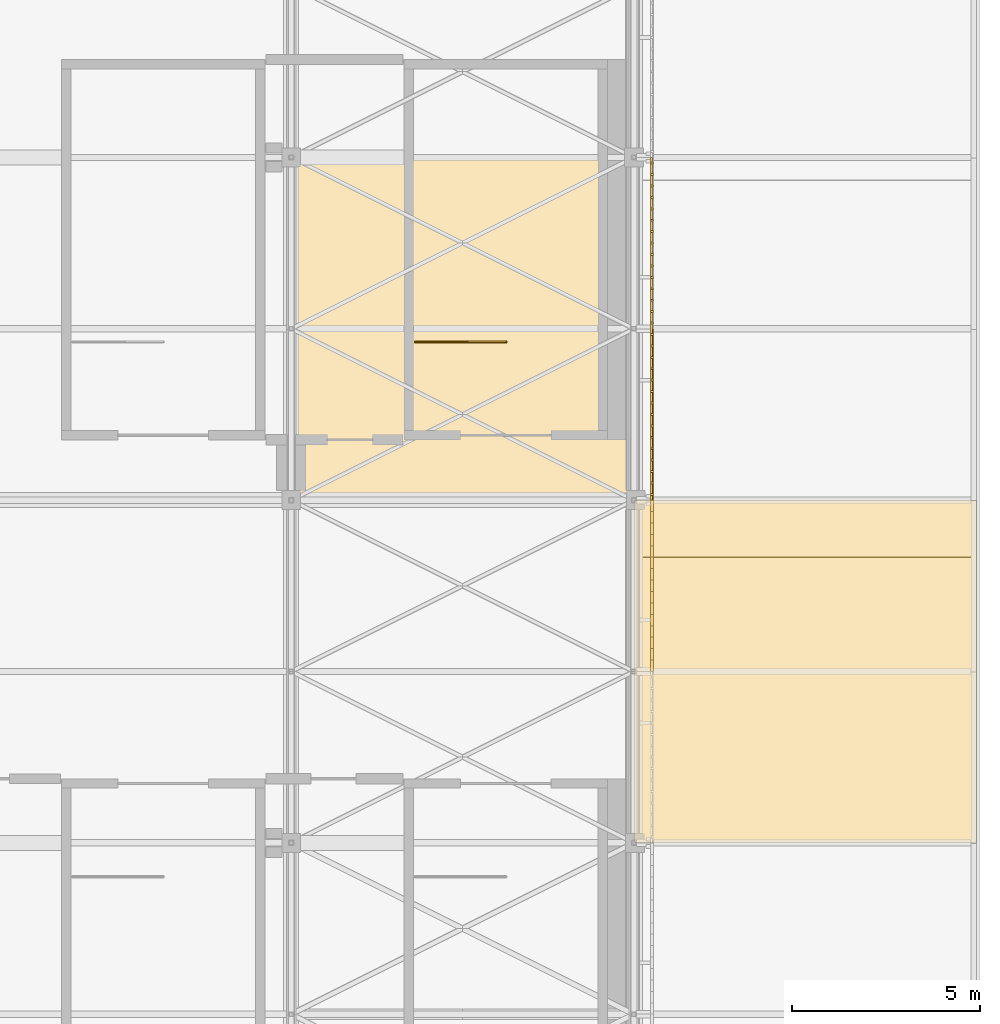
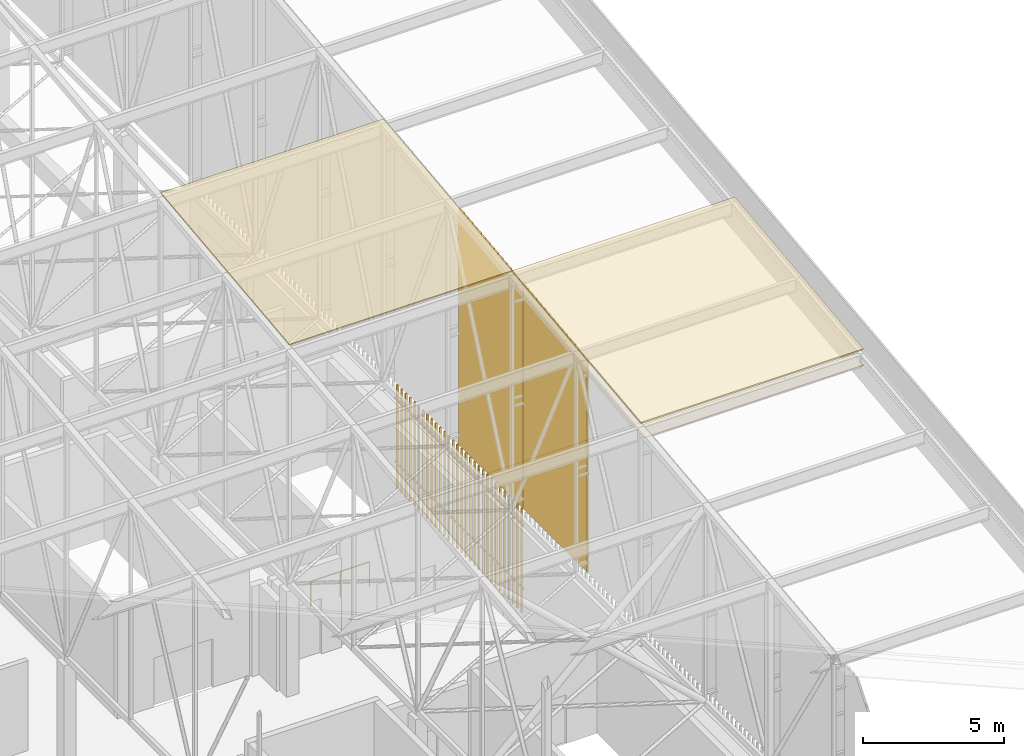
# One storey, part 488 of 500: 4 coverings, 3 shading devices, 1 railing.
"""IFC4 building model written with IfcOpenShell, lengths in metres."""

from ifc_helpers import new_model, si_unit, direction, frame, origin, origin_2d, place, context, subcontext, project, spatial, polyline, rectangle, circle, outline, extrude, material, layer, layer_set, type_object, element, save


model = new_model("IFC4")

# Units and contexts
model_context = context("Model", 3, precision=1e-05, world=origin(), true_north=direction((0.0, 1.0)))
body_context = subcontext(model_context, "Body", "Model", "MODEL_VIEW")
ifc_project = project(units=[si_unit("LENGTHUNIT", "METRE"), si_unit("AREAUNIT", "SQUARE_METRE"), si_unit("VOLUMEUNIT", "CUBIC_METRE"), si_unit("PLANEANGLEUNIT", "RADIAN"), si_unit("MASSUNIT", "GRAM", prefix="KILO")], contexts=[model_context])

# Site, building, storey
site_placement = place(None, origin())
site = spatial("IfcSite", under=ifc_project, at=site_placement, CompositionType="ELEMENT")
building_placement = place(site_placement, origin())
building = spatial("IfcBuilding", under=site, at=building_placement, Name="Shirokan Park Arena", CompositionType="ELEMENT")
storey_placement = place(building_placement, frame((0.0, 0.0, 29.1201171875)))
storey = spatial("IfcBuildingStorey", under=building, at=storey_placement, Name="L06", CompositionType="ELEMENT", Elevation=29.1201171875)

# Coverings
ifc_material_1 = material(Name="Bituminous roofing membrane")
ifc_layer_1 = layer(ifc_material_1, 0.010009765625, Name="Bituminous roofing membrane")
ifc_material_2 = material(Name="Mineral wool insulation")
ifc_layer_2 = layer(ifc_material_2, 0.050048828125, Name="Mineral wool insulation")
ifc_layer_set_1 = layer_set([ifc_layer_1, ifc_layer_2], Name="Bituminous roofing membrane + Mineral wool insulation")
covering_type_1 = type_object("IfcCoveringType", Name="Roofing membrane 60", PredefinedType="ROOFING", material=ifc_layer_set_1)
covering_1_placement = place(storey_placement, frame((136.5, 18.199951171875, 15.0107421875), z_axis=(0.0, -0.113549598152, 0.993532328996), x_axis=(1.0, 0.0, 0.0)))
element("IfcCovering", 1, at=covering_1_placement, inside=storey, type_object=covering_type_1, Name="Roofing", PredefinedType="ROOFING", context=body_context, shape_type="SweptSolid", body=[
    extrude(outline(polyline([(0.0, 0.0), (9.10009765625, 0.0), (9.10009765625, 9.15933723611117), (0.0, 9.15933723611117), (0.0, 0.0)])), origin(), (0.0, 0.0, -1.0), 0.06005859375),
])
covering_2_placement = place(storey_placement, frame((145.60009765625, 9.10009765625, 13.970703125), z_axis=(0.0, -0.113552605302, 0.993531985308), x_axis=(1.0, 0.0, 0.0)))
element("IfcCovering", 2, at=covering_2_placement, inside=storey, type_object=covering_type_1, Name="Roofing", PredefinedType="ROOFING", context=body_context, shape_type="SweptSolid", body=[
    extrude(outline(polyline([(0.0, 0.0), (9.099853515625, 0.0), (9.099853515625, 9.159094674549365), (0.0, 9.159094674549365), (0.0, 0.0)])), origin(), (0.0, 0.0, -1.0), 0.06005859375),
])

# Railing
ifc_material_3 = material(Name="Stainless steel", Category="steel")
railing_type = type_object("IfcRailingType", Name="Stair well guard 1100", PredefinedType="GUARDRAIL", material=ifc_material_3)
railing_placement = place(storey_placement, frame((139.800048828125, 22.39990234375, 0.0)))
element("IfcRailing", 3, at=railing_placement, inside=storey, type_object=railing_type, Name="Guard Exit Stair 2.E L06", PredefinedType="GUARDRAIL", context=body_context, shape_type="SweptSolid", body=[
    extrude(circle(Radius=0.02490234375, at=origin_2d()), frame((0.0, 0.0, 1.0771484375), z_axis=(1.0, 0.0, 0.0), x_axis=(0.0, 1.0, 0.0)), (0.0, 0.0, 1.0), 2.39990234375),
    extrude(circle(Radius=0.02490234375, at=origin_2d()), origin(), (0.0, 0.0, 1.0), 1.052001953125),
    extrude(circle(Radius=0.02490234375, at=origin_2d()), frame((1.199951171875, 0.0, 0.0)), (0.0, 0.0, 1.0), 1.052001953125),
    extrude(circle(Radius=0.02490234375, at=origin_2d()), frame((2.39990234375, 0.0, 0.0)), (0.0, 0.0, 1.0), 1.052001953125),
])

# Coverings
ifc_material_4 = material(Name="Timber soffit boards (cedar)", Category="wood")
ifc_layer_3 = layer(ifc_material_4, 0.030029296875)
ifc_layer_set_2 = layer_set([ifc_layer_3], Name="Timber soffit boards (cedar) 30 mm")
covering_type_2 = type_object("IfcCoveringType", Name="Timber boarded soffit panel", PredefinedType="CLADDING", material=ifc_layer_set_2)
covering_3_placement = place(storey_placement, origin())
element("IfcCovering", 4, at=covering_3_placement, inside=storey, type_object=covering_type_2, Name="Rake soffit east bay 5", PredefinedType="CLADDING", context=body_context, shape_type="SweptSolid", body=[
    extrude(outline(polyline([(0.0, 0.0), (0.12000000000000455, 0.0), (0.12000000000000455, -4.579617887990222), (0.0, -4.579617887990222), (0.0, 0.0)])), frame((145.846923828125, 9.10009765625, 13.261962890625), z_axis=(0.0, -0.113546591161, 0.993532672656), x_axis=(-1.0, 0.0, 0.0)), (0.0, 0.0, -1.0), 0.030029296875),
    extrude(outline(polyline([(0.0, 0.0), (0.11999999999997613, 0.0), (0.11999999999997613, -4.579617887990221), (0.0, -4.579617887990221), (0.0, 0.0)])), frame((154.580078125, 13.64990234375, 13.781982421875), z_axis=(0.0, -0.113546591161, 0.993532672656), x_axis=(1.0, 0.0, 0.0)), (0.0, 0.0, -1.0), 0.030029296875),
    extrude(outline(polyline([(0.0, 0.0), (0.12078064455863916, 0.0), (0.12078064455863916, -8.733000000000002), (0.0, -8.733000000000002), (0.0, 0.0)])), frame((154.580078125, 13.64990234375, 13.781982421875), z_axis=(0.0, -0.11351156512, 0.993536675007), x_axis=(0.0, -0.993536675007, -0.11351156512)), (0.0, 0.0, -1.0), 0.030029296875),
    extrude(outline(polyline([(0.0, 0.0), (0.12078064455863916, 0.0), (0.12078064455863916, -8.733000000000002), (0.0, -8.733000000000002), (0.0, 0.0)])), frame((145.846923828125, 9.10009765625, 13.261962890625), z_axis=(0.0, -0.11351156512, 0.993536675007), x_axis=(0.0, 0.993536675007, 0.11351156512)), (0.0, 0.0, -1.0), 0.030029296875),
    extrude(outline(polyline([(0.0, 0.0), (8.733000000000004, 0.0), (8.733000000000004, -0.1845242816000106), (0.0, -0.1845242816000106), (0.0, 0.0)])), frame((154.580078125, 9.219970703125, 13.275634765625), z_axis=(0.0, -0.113589386818, 0.99352778079), x_axis=(-1.0, 0.0, 0.0)), (0.0, 0.0, -1.0), 0.030029296875),
    extrude(outline(polyline([(0.0, 0.0), (8.733000000000004, 0.0), (8.733000000000004, -0.3053137258624314), (0.0, -0.3053137258624314), (0.0, 0.0)])), frame((154.580078125, 9.4033203125, 13.296630859375), z_axis=(0.0, -0.113522573877, 0.993535417195), x_axis=(-1.0, 0.0, 0.0)), (0.0, 0.0, -1.0), 0.030029296875),
    extrude(outline(polyline([(0.0, 0.0), (8.733000000000004, 0.0), (8.733000000000004, -0.30530492593471087), (0.0, -0.30530492593471087), (0.0, 0.0)])), frame((154.580078125, 9.706787109375, 13.331298828125), z_axis=(0.0, -0.113558600124, 0.99353130013), x_axis=(-1.0, 0.0, 0.0)), (0.0, 0.0, -1.0), 0.030029296875),
    extrude(outline(polyline([(0.0, 0.0), (8.733000000000004, 0.0), (8.733000000000004, -0.3053049259347134), (0.0, -0.3053049259347134), (0.0, 0.0)])), frame((154.580078125, 10.010009765625, 13.365966796875), z_axis=(0.0, -0.113558600124, 0.99353130013), x_axis=(-1.0, 0.0, 0.0)), (0.0, 0.0, -1.0), 0.030029296875),
    extrude(outline(polyline([(0.0, 0.0), (8.733000000000004, 0.0), (8.733000000000004, -0.3053137258624296), (0.0, -0.3053137258624296), (0.0, 0.0)])), frame((154.580078125, 10.313232421875, 13.400634765625), z_axis=(0.0, -0.113522573877, 0.993535417195), x_axis=(-1.0, 0.0, 0.0)), (0.0, 0.0, -1.0), 0.030029296875),
    extrude(outline(polyline([(0.0, 0.0), (8.733000000000004, 0.0), (8.733000000000004, -0.3053049259347134), (0.0, -0.3053049259347134), (0.0, 0.0)])), frame((154.580078125, 10.61669921875, 13.435302734375), z_axis=(0.0, -0.113558600124, 0.99353130013), x_axis=(-1.0, 0.0, 0.0)), (0.0, 0.0, -1.0), 0.030029296875),
    extrude(outline(polyline([(0.0, 0.0), (8.733000000000004, 0.0), (8.733000000000004, -0.3053049259347126), (0.0, -0.3053049259347126), (0.0, 0.0)])), frame((154.580078125, 10.919921875, 13.469970703125), z_axis=(0.0, -0.113558600124, 0.99353130013), x_axis=(-1.0, 0.0, 0.0)), (0.0, 0.0, -1.0), 0.030029296875),
    extrude(outline(polyline([(0.0, 0.0), (8.733000000000004, 0.0), (8.733000000000004, -0.3053137258624296), (0.0, -0.3053137258624296), (0.0, 0.0)])), frame((154.580078125, 11.223388671875, 13.504638671875), z_axis=(0.0, -0.113522573877, 0.993535417195), x_axis=(-1.0, 0.0, 0.0)), (0.0, 0.0, -1.0), 0.030029296875),
    extrude(outline(polyline([(0.0, 0.0), (8.733000000000004, 0.0), (8.733000000000004, -0.3053049259347134), (0.0, -0.3053049259347134), (0.0, 0.0)])), frame((154.580078125, 11.526611328125, 13.539306640625), z_axis=(0.0, -0.113558600124, 0.99353130013), x_axis=(-1.0, 0.0, 0.0)), (0.0, 0.0, -1.0), 0.030029296875),
    extrude(outline(polyline([(0.0, 0.0), (8.733000000000004, 0.0), (8.733000000000004, -0.30530492593471265), (0.0, -0.30530492593471265), (0.0, 0.0)])), frame((154.580078125, 11.830078125, 13.573974609375), z_axis=(0.0, -0.113558600124, 0.99353130013), x_axis=(-1.0, 0.0, 0.0)), (0.0, 0.0, -1.0), 0.030029296875),
    extrude(outline(polyline([(0.0, 0.0), (8.733000000000004, 0.0), (8.733000000000004, -0.30531372586243044), (0.0, -0.30531372586243044), (0.0, 0.0)])), frame((154.580078125, 12.13330078125, 13.608642578125), z_axis=(0.0, -0.113522573877, 0.993535417195), x_axis=(-1.0, 0.0, 0.0)), (0.0, 0.0, -1.0), 0.030029296875),
    extrude(outline(polyline([(0.0, 0.0), (8.733000000000004, 0.0), (8.733000000000004, -0.30530492593471265), (0.0, -0.30530492593471265), (0.0, 0.0)])), frame((154.580078125, 12.436767578125, 13.643310546875), z_axis=(0.0, -0.113558600124, 0.99353130013), x_axis=(-1.0, 0.0, 0.0)), (0.0, 0.0, -1.0), 0.030029296875),
    extrude(outline(polyline([(0.0, 0.0), (8.733000000000004, 0.0), (8.733000000000004, -0.30530492593471087), (0.0, -0.30530492593471087), (0.0, 0.0)])), frame((154.580078125, 12.739990234375, 13.677978515625), z_axis=(0.0, -0.113558600124, 0.99353130013), x_axis=(-1.0, 0.0, 0.0)), (0.0, 0.0, -1.0), 0.030029296875),
    extrude(outline(polyline([(0.0, 0.0), (8.733000000000004, 0.0), (8.733000000000004, -0.3053137258624322), (0.0, -0.3053137258624322), (0.0, 0.0)])), frame((154.580078125, 13.043212890625, 13.712646484375), z_axis=(0.0, -0.113522573877, 0.993535417195), x_axis=(-1.0, 0.0, 0.0)), (0.0, 0.0, -1.0), 0.030029296875),
    extrude(outline(polyline([(0.0, 0.0), (0.1845242816000098, 0.0), (0.1845242816000098, -8.733000000000004), (0.0, -8.733000000000004), (0.0, 0.0)])), frame((154.580078125, 13.530029296875, 13.76806640625), z_axis=(0.0, -0.113589386818, 0.99352778079), x_axis=(0.0, -0.99352778079, -0.113589386818)), (0.0, 0.0, -1.0), 0.030029296875),
])
covering_4_placement = place(storey_placement, origin())
element("IfcCovering", 5, at=covering_4_placement, inside=storey, type_object=covering_type_2, Name="Rake soffit east bay 6", PredefinedType="CLADDING", context=body_context, shape_type="SweptSolid", body=[
    extrude(outline(polyline([(0.0, 0.0), (0.12000000000000455, 0.0), (0.12000000000000455, -4.579617887990219), (0.0, -4.579617887990219), (0.0, 0.0)])), frame((145.846923828125, 13.64990234375, 13.781982421875), z_axis=(0.0, -0.113546591161, 0.993532672656), x_axis=(-1.0, 0.0, 0.0)), (0.0, 0.0, -1.0), 0.030029296875),
    extrude(outline(polyline([(0.0, 0.0), (0.11999999999997613, 0.0), (0.11999999999997613, -4.579617887990217), (0.0, -4.579617887990217), (0.0, 0.0)])), frame((154.580078125, 18.199951171875, 14.302001953125), z_axis=(0.0, -0.113546591161, 0.993532672656), x_axis=(1.0, 0.0, 0.0)), (0.0, 0.0, -1.0), 0.030029296875),
    extrude(outline(polyline([(0.0, 0.0), (0.12078064455863835, 0.0), (0.12078064455863835, -8.733000000000004), (0.0, -8.733000000000004), (0.0, 0.0)])), frame((154.580078125, 18.199951171875, 14.302001953125), z_axis=(0.0, -0.11351156512, 0.993536675007), x_axis=(0.0, -0.993536675007, -0.11351156512)), (0.0, 0.0, -1.0), 0.030029296875),
    extrude(outline(polyline([(0.0, 0.0), (0.12078064455863657, 0.0), (0.12078064455863657, -8.733000000000004), (0.0, -8.733000000000004), (0.0, 0.0)])), frame((145.846923828125, 13.64990234375, 13.781982421875), z_axis=(0.0, -0.11351156512, 0.993536675007), x_axis=(0.0, 0.993536675007, 0.11351156512)), (0.0, 0.0, -1.0), 0.030029296875),
    extrude(outline(polyline([(0.0, 0.0), (8.733000000000004, 0.0), (8.733000000000004, -0.18452428160001058), (0.0, -0.18452428160001058), (0.0, 0.0)])), frame((154.580078125, 13.77001953125, 13.795654296875), z_axis=(0.0, -0.113589386818, 0.99352778079), x_axis=(-1.0, 0.0, 0.0)), (0.0, 0.0, -1.0), 0.030029296875),
    extrude(outline(polyline([(0.0, 0.0), (8.733000000000004, 0.0), (8.733000000000004, -0.3053137258624322), (0.0, -0.3053137258624322), (0.0, 0.0)])), frame((154.580078125, 13.953369140625, 13.816650390625), z_axis=(0.0, -0.113522573877, 0.993535417195), x_axis=(-1.0, 0.0, 0.0)), (0.0, 0.0, -1.0), 0.030029296875),
    extrude(outline(polyline([(0.0, 0.0), (8.733000000000004, 0.0), (8.733000000000004, -0.30530492593471265), (0.0, -0.30530492593471265), (0.0, 0.0)])), frame((154.580078125, 14.256591796875, 13.851318359375), z_axis=(0.0, -0.113558600124, 0.99353130013), x_axis=(-1.0, 0.0, 0.0)), (0.0, 0.0, -1.0), 0.030029296875),
    extrude(outline(polyline([(0.0, 0.0), (8.733000000000004, 0.0), (8.733000000000004, -0.30530492593471087), (0.0, -0.30530492593471087), (0.0, 0.0)])), frame((154.580078125, 14.56005859375, 13.885986328125), z_axis=(0.0, -0.113558600124, 0.99353130013), x_axis=(-1.0, 0.0, 0.0)), (0.0, 0.0, -1.0), 0.030029296875),
    extrude(outline(polyline([(0.0, 0.0), (8.733000000000004, 0.0), (8.733000000000004, -0.3053137258624322), (0.0, -0.3053137258624322), (0.0, 0.0)])), frame((154.580078125, 14.86328125, 13.920654296875), z_axis=(0.0, -0.113522573877, 0.993535417195), x_axis=(-1.0, 0.0, 0.0)), (0.0, 0.0, -1.0), 0.030029296875),
    extrude(outline(polyline([(0.0, 0.0), (8.733000000000004, 0.0), (8.733000000000004, -0.30530492593471265), (0.0, -0.30530492593471265), (0.0, 0.0)])), frame((154.580078125, 15.166748046875, 13.955322265625), z_axis=(0.0, -0.113558600124, 0.99353130013), x_axis=(-1.0, 0.0, 0.0)), (0.0, 0.0, -1.0), 0.030029296875),
    extrude(outline(polyline([(0.0, 0.0), (8.733000000000004, 0.0), (8.733000000000004, -0.30530492593471087), (0.0, -0.30530492593471087), (0.0, 0.0)])), frame((154.580078125, 15.469970703125, 13.989990234375), z_axis=(0.0, -0.113558600124, 0.99353130013), x_axis=(-1.0, 0.0, 0.0)), (0.0, 0.0, -1.0), 0.030029296875),
    extrude(outline(polyline([(0.0, 0.0), (8.733000000000004, 0.0), (8.733000000000004, -0.3053137258624322), (0.0, -0.3053137258624322), (0.0, 0.0)])), frame((154.580078125, 15.7734375, 14.024658203125), z_axis=(0.0, -0.113522573877, 0.993535417195), x_axis=(-1.0, 0.0, 0.0)), (0.0, 0.0, -1.0), 0.030029296875),
    extrude(outline(polyline([(0.0, 0.0), (8.733000000000004, 0.0), (8.733000000000004, -0.30530492593471087), (0.0, -0.30530492593471087), (0.0, 0.0)])), frame((154.580078125, 16.07666015625, 14.059326171875), z_axis=(0.0, -0.113558600124, 0.99353130013), x_axis=(-1.0, 0.0, 0.0)), (0.0, 0.0, -1.0), 0.030029296875),
    extrude(outline(polyline([(0.0, 0.0), (8.733000000000004, 0.0), (8.733000000000004, -0.3053049259347144), (0.0, -0.3053049259347144), (0.0, 0.0)])), frame((154.580078125, 16.3798828125, 14.093994140625), z_axis=(0.0, -0.113558600124, 0.99353130013), x_axis=(-1.0, 0.0, 0.0)), (0.0, 0.0, -1.0), 0.030029296875),
    extrude(outline(polyline([(0.0, 0.0), (8.733000000000004, 0.0), (8.733000000000004, -0.30531372586243044), (0.0, -0.30531372586243044), (0.0, 0.0)])), frame((154.580078125, 16.683349609375, 14.128662109375), z_axis=(0.0, -0.113522573877, 0.993535417195), x_axis=(-1.0, 0.0, 0.0)), (0.0, 0.0, -1.0), 0.030029296875),
    extrude(outline(polyline([(0.0, 0.0), (8.733000000000004, 0.0), (8.733000000000004, -0.30530492593471087), (0.0, -0.30530492593471087), (0.0, 0.0)])), frame((154.580078125, 16.986572265625, 14.163330078125), z_axis=(0.0, -0.113558600124, 0.99353130013), x_axis=(-1.0, 0.0, 0.0)), (0.0, 0.0, -1.0), 0.030029296875),
    extrude(outline(polyline([(0.0, 0.0), (8.733000000000004, 0.0), (8.733000000000004, -0.3053049259347152), (0.0, -0.3053049259347152), (0.0, 0.0)])), frame((154.580078125, 17.2900390625, 14.197998046875), z_axis=(0.0, -0.113558600124, 0.99353130013), x_axis=(-1.0, 0.0, 0.0)), (0.0, 0.0, -1.0), 0.030029296875),
    extrude(outline(polyline([(0.0, 0.0), (8.733000000000004, 0.0), (8.733000000000004, -0.3053137258624296), (0.0, -0.3053137258624296), (0.0, 0.0)])), frame((154.580078125, 17.59326171875, 14.232666015625), z_axis=(0.0, -0.113522573877, 0.993535417195), x_axis=(-1.0, 0.0, 0.0)), (0.0, 0.0, -1.0), 0.030029296875),
    extrude(outline(polyline([(0.0, 0.0), (0.18452428160000886, 0.0), (0.18452428160000886, -8.733000000000004), (0.0, -8.733000000000004), (0.0, 0.0)])), frame((154.580078125, 18.080078125, 14.2880859375), z_axis=(0.0, -0.113589386818, 0.99352778079), x_axis=(0.0, -0.99352778079, -0.113589386818)), (0.0, 0.0, -1.0), 0.030029296875),
])

# Shading devices
ifc_material_5 = material(Name="Timber louvre veil (cedar)", Category="wood")
shading_device_type_1 = type_object("IfcShadingDeviceType", Name="Timber louvre veil panel", PredefinedType="JALOUSIE", material=ifc_material_5)
shading_device_1_placement = place(storey_placement, origin())
element("IfcShadingDevice", 6, at=shading_device_1_placement, inside=storey, type_object=shading_device_type_1, Name="Timber louvre veil east bay 3 L06", PredefinedType="JALOUSIE", context=body_context, shape_type="SweptSolid", body=[
    extrude(rectangle(XDim=0.050048828125, YDim=0.080078125, at=origin_2d()), frame((146.0849609375, 18.3515625, 0.0), z_axis=(0.0, 0.0, 1.0), x_axis=(0.0, 1.0, 0.0)), (0.0, 0.0, 1.0), 4.5),
    extrude(rectangle(XDim=0.050048828125, YDim=0.080078125, at=origin_2d()), frame((146.0849609375, 18.655029296875, 0.0), z_axis=(0.0, 0.0, 1.0), x_axis=(0.0, 1.0, 0.0)), (0.0, 0.0, 1.0), 4.5),
    extrude(rectangle(XDim=0.050048828125, YDim=0.080078125, at=origin_2d()), frame((146.0849609375, 18.958251953125, 0.0), z_axis=(0.0, 0.0, 1.0), x_axis=(0.0, 1.0, 0.0)), (0.0, 0.0, 1.0), 4.5),
    extrude(rectangle(XDim=0.050048828125, YDim=0.080078125, at=origin_2d()), frame((146.0849609375, 19.26171875, 0.0), z_axis=(0.0, 0.0, 1.0), x_axis=(0.0, 1.0, 0.0)), (0.0, 0.0, 1.0), 4.5),
    extrude(rectangle(XDim=0.050048828125, YDim=0.080078125, at=origin_2d()), frame((146.0849609375, 19.56494140625, 0.0), z_axis=(0.0, 0.0, 1.0), x_axis=(0.0, 1.0, 0.0)), (0.0, 0.0, 1.0), 4.5),
    extrude(rectangle(XDim=0.050048828125, YDim=0.080078125, at=origin_2d()), frame((146.0849609375, 19.868408203125, 0.0), z_axis=(0.0, 0.0, 1.0), x_axis=(0.0, 1.0, 0.0)), (0.0, 0.0, 1.0), 4.5),
    extrude(rectangle(XDim=0.050048828125, YDim=0.080078125, at=origin_2d()), frame((146.0849609375, 20.171630859375, 0.0), z_axis=(0.0, 0.0, 1.0), x_axis=(0.0, 1.0, 0.0)), (0.0, 0.0, 1.0), 4.5),
    extrude(rectangle(XDim=0.050048828125, YDim=0.080078125, at=origin_2d()), frame((146.0849609375, 20.47509765625, 0.0), z_axis=(0.0, 0.0, 1.0), x_axis=(0.0, 1.0, 0.0)), (0.0, 0.0, 1.0), 4.5),
    extrude(rectangle(XDim=0.050048828125, YDim=0.080078125, at=origin_2d()), frame((146.0849609375, 20.7783203125, 0.0), z_axis=(0.0, 0.0, 1.0), x_axis=(0.0, 1.0, 0.0)), (0.0, 0.0, 1.0), 4.5),
    extrude(rectangle(XDim=0.050048828125, YDim=0.080078125, at=origin_2d()), frame((146.0849609375, 21.081787109375, 0.0), z_axis=(0.0, 0.0, 1.0), x_axis=(0.0, 1.0, 0.0)), (0.0, 0.0, 1.0), 4.5),
    extrude(rectangle(XDim=0.050048828125, YDim=0.080078125, at=origin_2d()), frame((146.0849609375, 21.385009765625, 0.0), z_axis=(0.0, 0.0, 1.0), x_axis=(0.0, 1.0, 0.0)), (0.0, 0.0, 1.0), 4.5),
    extrude(rectangle(XDim=0.050048828125, YDim=0.080078125, at=origin_2d()), frame((146.0849609375, 21.688232421875, 0.0), z_axis=(0.0, 0.0, 1.0), x_axis=(0.0, 1.0, 0.0)), (0.0, 0.0, 1.0), 4.5),
    extrude(rectangle(XDim=0.050048828125, YDim=0.080078125, at=origin_2d()), frame((146.0849609375, 21.99169921875, 0.0), z_axis=(0.0, 0.0, 1.0), x_axis=(0.0, 1.0, 0.0)), (0.0, 0.0, 1.0), 4.5),
    extrude(rectangle(XDim=0.050048828125, YDim=0.080078125, at=origin_2d()), frame((146.0849609375, 22.294921875, 0.0), z_axis=(0.0, 0.0, 1.0), x_axis=(0.0, 1.0, 0.0)), (0.0, 0.0, 1.0), 4.5),
    extrude(rectangle(XDim=0.050048828125, YDim=0.080078125, at=origin_2d()), frame((146.0849609375, 22.598388671875, 0.0), z_axis=(0.0, 0.0, 1.0), x_axis=(0.0, 1.0, 0.0)), (0.0, 0.0, 1.0), 4.5),
    extrude(rectangle(XDim=0.050048828125, YDim=0.080078125, at=origin_2d()), frame((146.0849609375, 22.901611328125, 0.0), z_axis=(0.0, 0.0, 1.0), x_axis=(0.0, 1.0, 0.0)), (0.0, 0.0, 1.0), 4.5),
    extrude(rectangle(XDim=0.050048828125, YDim=0.080078125, at=origin_2d()), frame((146.0849609375, 23.205078125, 0.0), z_axis=(0.0, 0.0, 1.0), x_axis=(0.0, 1.0, 0.0)), (0.0, 0.0, 1.0), 4.5),
    extrude(rectangle(XDim=0.050048828125, YDim=0.080078125, at=origin_2d()), frame((146.0849609375, 23.50830078125, 0.0), z_axis=(0.0, 0.0, 1.0), x_axis=(0.0, 1.0, 0.0)), (0.0, 0.0, 1.0), 4.5),
    extrude(rectangle(XDim=0.050048828125, YDim=0.080078125, at=origin_2d()), frame((146.0849609375, 23.811767578125, 0.0), z_axis=(0.0, 0.0, 1.0), x_axis=(0.0, 1.0, 0.0)), (0.0, 0.0, 1.0), 4.5),
    extrude(rectangle(XDim=0.050048828125, YDim=0.080078125, at=origin_2d()), frame((146.0849609375, 24.114990234375, 0.0), z_axis=(0.0, 0.0, 1.0), x_axis=(0.0, 1.0, 0.0)), (0.0, 0.0, 1.0), 4.5),
    extrude(rectangle(XDim=0.050048828125, YDim=0.080078125, at=origin_2d()), frame((146.0849609375, 24.418212890625, 0.0), z_axis=(0.0, 0.0, 1.0), x_axis=(0.0, 1.0, 0.0)), (0.0, 0.0, 1.0), 4.5),
    extrude(rectangle(XDim=0.050048828125, YDim=0.080078125, at=origin_2d()), frame((146.0849609375, 24.7216796875, 0.0), z_axis=(0.0, 0.0, 1.0), x_axis=(0.0, 1.0, 0.0)), (0.0, 0.0, 1.0), 4.5),
    extrude(rectangle(XDim=0.050048828125, YDim=0.080078125, at=origin_2d()), frame((146.0849609375, 25.02490234375, 0.0), z_axis=(0.0, 0.0, 1.0), x_axis=(0.0, 1.0, 0.0)), (0.0, 0.0, 1.0), 4.5),
    extrude(rectangle(XDim=0.050048828125, YDim=0.080078125, at=origin_2d()), frame((146.0849609375, 25.328369140625, 0.0), z_axis=(0.0, 0.0, 1.0), x_axis=(0.0, 1.0, 0.0)), (0.0, 0.0, 1.0), 4.5),
    extrude(rectangle(XDim=0.050048828125, YDim=0.080078125, at=origin_2d()), frame((146.0849609375, 25.631591796875, 0.0), z_axis=(0.0, 0.0, 1.0), x_axis=(0.0, 1.0, 0.0)), (0.0, 0.0, 1.0), 4.5),
    extrude(rectangle(XDim=0.050048828125, YDim=0.080078125, at=origin_2d()), frame((146.0849609375, 25.93505859375, 0.0), z_axis=(0.0, 0.0, 1.0), x_axis=(0.0, 1.0, 0.0)), (0.0, 0.0, 1.0), 4.5),
    extrude(rectangle(XDim=0.050048828125, YDim=0.080078125, at=origin_2d()), frame((146.0849609375, 26.23828125, 0.0), z_axis=(0.0, 0.0, 1.0), x_axis=(0.0, 1.0, 0.0)), (0.0, 0.0, 1.0), 4.5),
    extrude(rectangle(XDim=0.050048828125, YDim=0.080078125, at=origin_2d()), frame((146.0849609375, 26.541748046875, 0.0), z_axis=(0.0, 0.0, 1.0), x_axis=(0.0, 1.0, 0.0)), (0.0, 0.0, 1.0), 4.5),
    extrude(rectangle(XDim=0.050048828125, YDim=0.080078125, at=origin_2d()), frame((146.0849609375, 26.844970703125, 0.0), z_axis=(0.0, 0.0, 1.0), x_axis=(0.0, 1.0, 0.0)), (0.0, 0.0, 1.0), 4.5),
    extrude(rectangle(XDim=0.050048828125, YDim=0.080078125, at=origin_2d()), frame((146.0849609375, 27.1484375, 0.0), z_axis=(0.0, 0.0, 1.0), x_axis=(0.0, 1.0, 0.0)), (0.0, 0.0, 1.0), 4.5),
    extrude(rectangle(XDim=9.10009765625, YDim=0.050048828125, at=origin_2d()), frame((146.070068359375, 22.75, 1.059814453125), z_axis=(0.0, 0.0, 1.0), x_axis=(0.0, 1.0, 0.0)), (0.0, 0.0, 1.0), 0.080078125),
    extrude(rectangle(XDim=9.10009765625, YDim=0.050048828125, at=origin_2d()), frame((146.070068359375, 22.75, 3.809814453125), z_axis=(0.0, 0.0, 1.0), x_axis=(0.0, 1.0, 0.0)), (0.0, 0.0, 1.0), 0.080078125),
])
shading_device_type_2 = type_object("IfcShadingDeviceType", Name="Timber louvre veil panel, gable band, closed", PredefinedType="JALOUSIE", material=ifc_material_5)
shading_device_2_placement = place(storey_placement, origin())
element("IfcShadingDevice", 7, at=shading_device_2_placement, inside=storey, type_object=shading_device_type_2, Name="Timber louvre veil gable band east bay 6", PredefinedType="JALOUSIE", context=body_context, shape_type="SweptSolid", body=[
    extrude(outline(polyline([(13.953369140625, 13.751953125), (13.64990234375, 13.751953125), (13.64990234375, 4.575927734375), (18.199951171875, 4.575927734375), (18.199951171875, 14.2373046875), (17.896728515625, 14.2373046875), (17.896728515625, 14.20263671875), (17.59326171875, 14.20263671875), (17.59326171875, 14.16796875), (17.2900390625, 14.16796875), (17.2900390625, 14.13330078125), (16.986572265625, 14.13330078125), (16.986572265625, 14.0986328125), (16.683349609375, 14.0986328125), (16.683349609375, 14.06396484375), (16.3798828125, 14.06396484375), (16.3798828125, 14.029296875), (16.07666015625, 14.029296875), (16.07666015625, 13.99462890625), (15.7734375, 13.99462890625), (15.7734375, 13.9599609375), (15.469970703125, 13.9599609375), (15.469970703125, 13.92529296875), (15.166748046875, 13.92529296875), (15.166748046875, 13.890625), (14.86328125, 13.890625), (14.86328125, 13.85595703125), (14.56005859375, 13.85595703125), (14.56005859375, 13.8212890625), (14.256591796875, 13.8212890625), (14.256591796875, 13.78662109375), (13.953369140625, 13.78662109375), (13.953369140625, 13.751953125)])), frame((146.044921875, 0.0, 0.0), z_axis=(1.0, 0.0, 0.0), x_axis=(0.0, 1.0, 0.0)), (0.0, 0.0, 1.0), 0.080078125),
    extrude(rectangle(XDim=0.050048828125, YDim=4.550048828125, at=origin_2d()), frame((146.070068359375, 15.925048828125, 4.98583984375), z_axis=(0.0, 0.0, 1.0), x_axis=(1.0, 0.0, 0.0)), (0.0, 0.0, 1.0), 0.080078125),
    extrude(rectangle(XDim=0.050048828125, YDim=4.550048828125, at=origin_2d()), frame((146.070068359375, 15.925048828125, 9.123779296875), z_axis=(0.0, 0.0, 1.0), x_axis=(1.0, 0.0, 0.0)), (0.0, 0.0, 1.0), 0.080078125),
    extrude(rectangle(XDim=0.050048828125, YDim=4.550048828125, at=origin_2d()), frame((146.070068359375, 15.925048828125, 13.61181640625), z_axis=(0.0, 0.0, 1.0), x_axis=(1.0, 0.0, 0.0)), (0.0, 0.0, 1.0), 0.080078125),
])
shading_device_3_placement = place(storey_placement, origin())
element("IfcShadingDevice", 8, at=shading_device_3_placement, inside=storey, type_object=shading_device_type_2, Name="Timber louvre veil gable band east bay 7", PredefinedType="JALOUSIE", context=body_context, shape_type="SweptSolid", body=[
    extrude(outline(polyline([(18.50341796875, 14.27197265625), (18.199951171875, 14.27197265625), (18.199951171875, 4.575927734375), (22.75, 4.575927734375), (22.75, 14.75732421875), (22.44677734375, 14.75732421875), (22.44677734375, 14.72265625), (22.143310546875, 14.72265625), (22.143310546875, 14.68798828125), (21.840087890625, 14.68798828125), (21.840087890625, 14.6533203125), (21.53662109375, 14.6533203125), (21.53662109375, 14.61865234375), (21.2333984375, 14.61865234375), (21.2333984375, 14.583984375), (20.929931640625, 14.583984375), (20.929931640625, 14.54931640625), (20.626708984375, 14.54931640625), (20.626708984375, 14.5146484375), (20.3232421875, 14.5146484375), (20.3232421875, 14.47998046875), (20.02001953125, 14.47998046875), (20.02001953125, 14.4453125), (19.716552734375, 14.4453125), (19.716552734375, 14.41064453125), (19.413330078125, 14.41064453125), (19.413330078125, 14.3759765625), (19.110107421875, 14.3759765625), (19.110107421875, 14.34130859375), (18.806640625, 14.34130859375), (18.806640625, 14.306640625), (18.50341796875, 14.306640625), (18.50341796875, 14.27197265625)])), frame((146.044921875, 0.0, 0.0), z_axis=(1.0, 0.0, 0.0), x_axis=(0.0, 1.0, 0.0)), (0.0, 0.0, 1.0), 0.080078125),
    extrude(rectangle(XDim=0.050048828125, YDim=4.550048828125, at=origin_2d()), frame((146.070068359375, 20.47509765625, 4.98583984375), z_axis=(0.0, 0.0, 1.0), x_axis=(1.0, 0.0, 0.0)), (0.0, 0.0, 1.0), 0.080078125),
    extrude(rectangle(XDim=0.050048828125, YDim=4.550048828125, at=origin_2d()), frame((146.070068359375, 20.47509765625, 9.3837890625), z_axis=(0.0, 0.0, 1.0), x_axis=(1.0, 0.0, 0.0)), (0.0, 0.0, 1.0), 0.080078125),
    extrude(rectangle(XDim=0.050048828125, YDim=4.550048828125, at=origin_2d()), frame((146.070068359375, 20.47509765625, 14.1318359375), z_axis=(0.0, 0.0, 1.0), x_axis=(1.0, 0.0, 0.0)), (0.0, 0.0, 1.0), 0.080078125),
])

save(model, "model.ifc")
